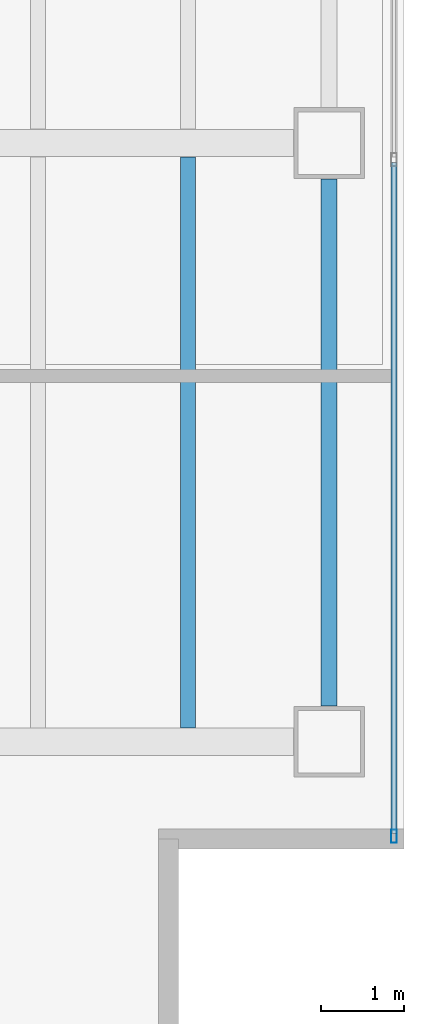
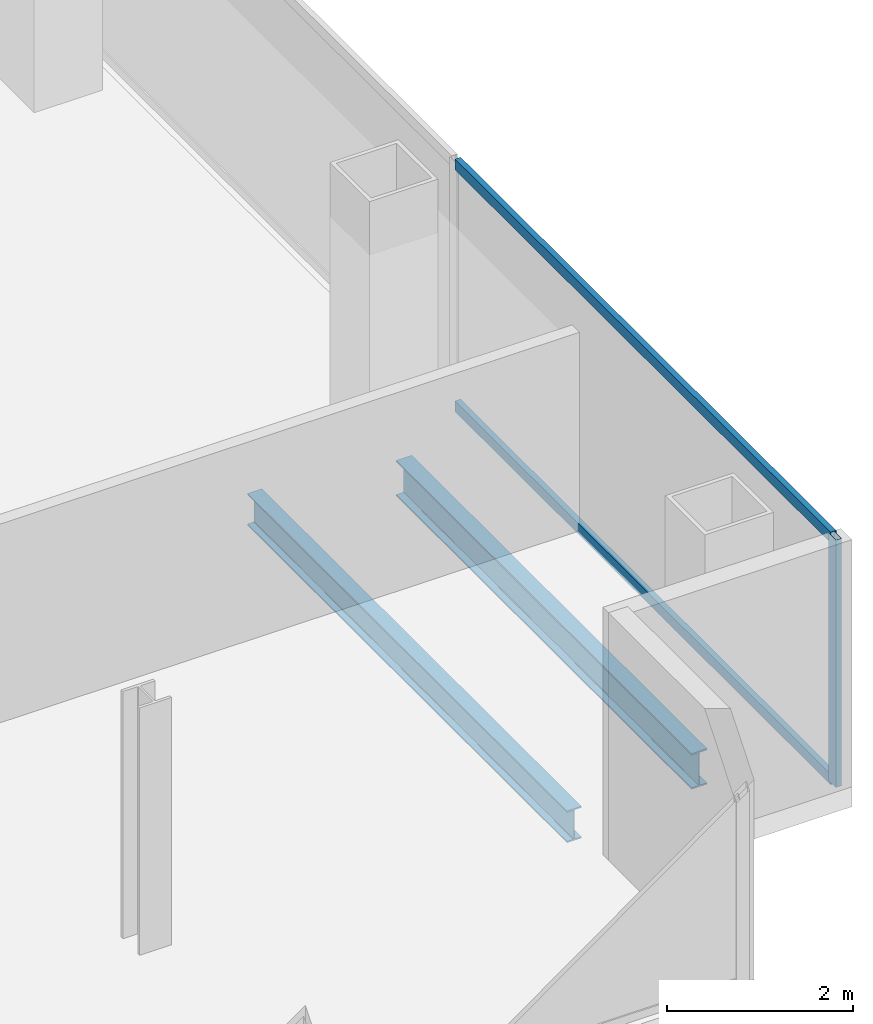
# One storey, part 12 of 23: 3 members, 2 beams, 1 element without a shape of its own.
"""IFC4 building model written with IfcOpenShell, lengths in metres."""

from ifc_helpers import new_model, si_unit, direction, frame, origin, origin_2d, place, context, subcontext, project, spatial, hollow_rectangle, i_section, extrude, material, material_profile, profile_set, type_object, element, aggregate, save


model = new_model("IFC4")

# Units and contexts
model_context = context("Model", 3, precision=1e-05, world=origin(), true_north=direction((0.0, 1.0)))
body_context = subcontext(model_context, "Body", "Model", "MODEL_VIEW")
ifc_project = project(units=[si_unit("LENGTHUNIT", "METRE"), si_unit("AREAUNIT", "SQUARE_METRE"), si_unit("VOLUMEUNIT", "CUBIC_METRE"), si_unit("PLANEANGLEUNIT", "RADIAN"), si_unit("MASSUNIT", "GRAM", prefix="KILO")], contexts=[model_context])

# Site, building, storey
site_placement = place(None, origin())
site = spatial("IfcSite", under=ifc_project, at=site_placement, CompositionType="ELEMENT")
building_placement = place(site_placement, origin())
building = spatial("IfcBuilding", under=site, at=building_placement, Name="Cobrela Telecom Tower", CompositionType="ELEMENT")
storey_placement = place(building_placement, frame((0.0, 0.0, 173.25)))
storey = spatial("IfcBuildingStorey", under=building, at=storey_placement, Name="L43", CompositionType="ELEMENT", Elevation=173.25)

# Beams
ifc_material_1 = material(Name="Steel ASTM A992 Grade 50", Category="steel")
ifc_material_profile_1 = material_profile(ifc_material_1, i_section(OverallWidth=0.179931640625, OverallDepth=0.4169921875, WebThickness=0.010986328125, FlangeThickness=0.01806640625, FilletRadius=0.011962890625, at=origin_2d()), Name="W16X57")
ifc_profile_set_1 = profile_set([ifc_material_profile_1], Name="Steel ASTM A992 Grade 50")
beam_type_1 = type_object("IfcBeamType", Name="BM-JOIST-04", PredefinedType="JOIST", material=ifc_profile_set_1)
beam_1_placement = place(storey_placement, frame((41.39990234375, 7.368896484375, -0.468505859375), z_axis=(0.0, 1.0, 0.0), x_axis=(-1.0, 0.0, 0.0)))
element("IfcBeam", 1, at=beam_1_placement, inside=storey, type_object=beam_type_1, Name="L43 Secondary Composite Floor Beam J29", PredefinedType="JOIST", context=body_context, shape_type="SweptSolid", body=[
    extrude(i_section(OverallWidth=0.179931640625, OverallDepth=0.4169921875, WebThickness=0.010986328125, FlangeThickness=0.01806640625, FilletRadius=0.011962890625, at=origin_2d()), origin(), (0.0, 0.0, 1.0), 6.862060546875),
])
ifc_material_profile_2 = material_profile(ifc_material_1, i_section(OverallWidth=0.193115234375, OverallDepth=0.467041015625, WebThickness=0.011474609375, FlangeThickness=0.01904296875, FilletRadius=0.012939453125, at=origin_2d()), Name="W18X65")
ifc_profile_set_2 = profile_set([ifc_material_profile_2], Name="Steel ASTM A992 Grade 50")
beam_type_2 = type_object("IfcBeamType", Name="BM-SPAND-05", PredefinedType="SPANDREL", material=ifc_profile_set_2)
beam_2_placement = place(storey_placement, frame((43.10009765625, 7.6298828125, -0.493408203125), z_axis=(0.0, 1.0, 0.0), x_axis=(-1.0, 0.0, 0.0)))
element("IfcBeam", 2, at=beam_2_placement, inside=storey, type_object=beam_type_2, Name="L43 Perimeter Spandrel Y42", PredefinedType="SPANDREL", context=body_context, shape_type="SweptSolid", body=[
    extrude(i_section(OverallWidth=0.193115234375, OverallDepth=0.467041015625, WebThickness=0.011474609375, FlangeThickness=0.01904296875, FilletRadius=0.012939453125, at=origin_2d()), origin(), (0.0, 0.0, 1.0), 6.340087890625),
])

# Curtain wall, members
ifc_material_2 = material(Name="Anodized Bronze Aluminium 6063-T6", Category="aluminium")
curtain_wall_type = type_object("IfcCurtainWallType", Name="CW-SYS-OFF-LO", PredefinedType="USERDEFINED", material=ifc_material_2)
curtain_wall_placement = place(storey_placement, origin())
curtain_wall = element("IfcCurtainWall", 3, at=curtain_wall_placement, inside=storey, type_object=curtain_wall_type, Name="L43 Unitised Bronze Curtain Wall 14", ObjectType="UNITISED CURTAIN WALL", PredefinedType="USERDEFINED")
ifc_material_profile_3 = material_profile(ifc_material_2, hollow_rectangle(XDim=0.070068359375, YDim=0.159912109375, WallThickness=0.00390625, at=origin_2d()), Name="ALU 70x160x4")
ifc_profile_set_3 = profile_set([ifc_material_profile_3], Name="Anodized Bronze Aluminium 6063-T6")
member_type_1 = type_object("IfcMemberType", Name="CW-SYS-OFF-LO-MUL", PredefinedType="MULLION", material=ifc_profile_set_3)
member_1_placement = place(storey_placement, frame((43.8798828125, 6.06494140625, 0.0), z_axis=(0.0, 0.0, 1.0), x_axis=(1.0, 0.0, 0.0)))
member_1 = element("IfcMember", 4, at=member_1_placement, type_object=member_type_1, Name="CW-OFF-LO mullion 3", PredefinedType="MULLION", context=body_context, shape_type="SweptSolid", body=[
    extrude(hollow_rectangle(XDim=0.070068359375, YDim=0.159912109375, WallThickness=0.00390625, at=origin_2d()), origin(), (0.0, 0.0, 1.0), 3.239990234375),
])
ifc_material_profile_4 = material_profile(ifc_material_2, hollow_rectangle(XDim=0.070068359375, YDim=0.139892578125, WallThickness=0.00390625, at=origin_2d()), Name="ALU 70x140x4")
ifc_profile_set_4 = profile_set([ifc_material_profile_4], Name="Anodized Bronze Aluminium 6063-T6")
member_type_2 = type_object("IfcMemberType", Name="CW-SYS-OFF-LO-TRN", PredefinedType="USERDEFINED", material=ifc_profile_set_4)
member_2_placement = place(storey_placement, frame((43.8798828125, 14.1650390625, 0.034912109375), z_axis=(0.0, -1.0, 0.0), x_axis=(1.0, 0.0, 0.0)))
member_2 = element("IfcMember", 5, at=member_2_placement, type_object=member_type_2, Name="CW-OFF-LO transom 2.1", ObjectType="TRANSOM", PredefinedType="USERDEFINED", context=body_context, shape_type="SweptSolid", body=[
    extrude(hollow_rectangle(XDim=0.070068359375, YDim=0.139892578125, WallThickness=0.00390625, at=origin_2d()), origin(), (0.0, 0.0, 1.0), 8.06494140625),
])
member_3_placement = place(storey_placement, frame((43.8798828125, 14.1650390625, 3.205078125), z_axis=(0.0, -1.0, 0.0), x_axis=(1.0, 0.0, 0.0)))
member_3 = element("IfcMember", 6, at=member_3_placement, type_object=member_type_2, Name="CW-OFF-LO transom 2.2", ObjectType="TRANSOM", PredefinedType="USERDEFINED", context=body_context, shape_type="SweptSolid", body=[
    extrude(hollow_rectangle(XDim=0.070068359375, YDim=0.139892578125, WallThickness=0.00390625, at=origin_2d()), origin(), (0.0, 0.0, 1.0), 8.06494140625),
])
aggregate(curtain_wall, [member_1, member_2, member_3])

save(model, "model.ifc")
